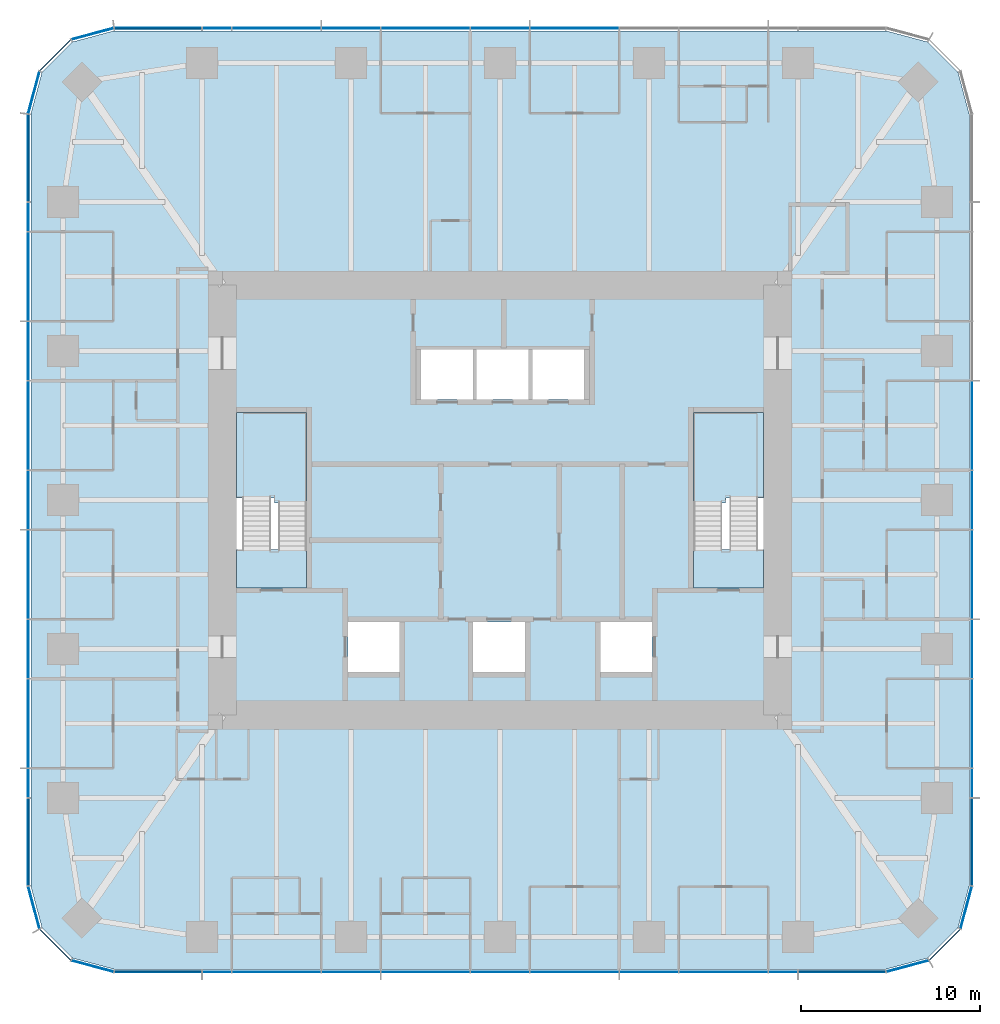
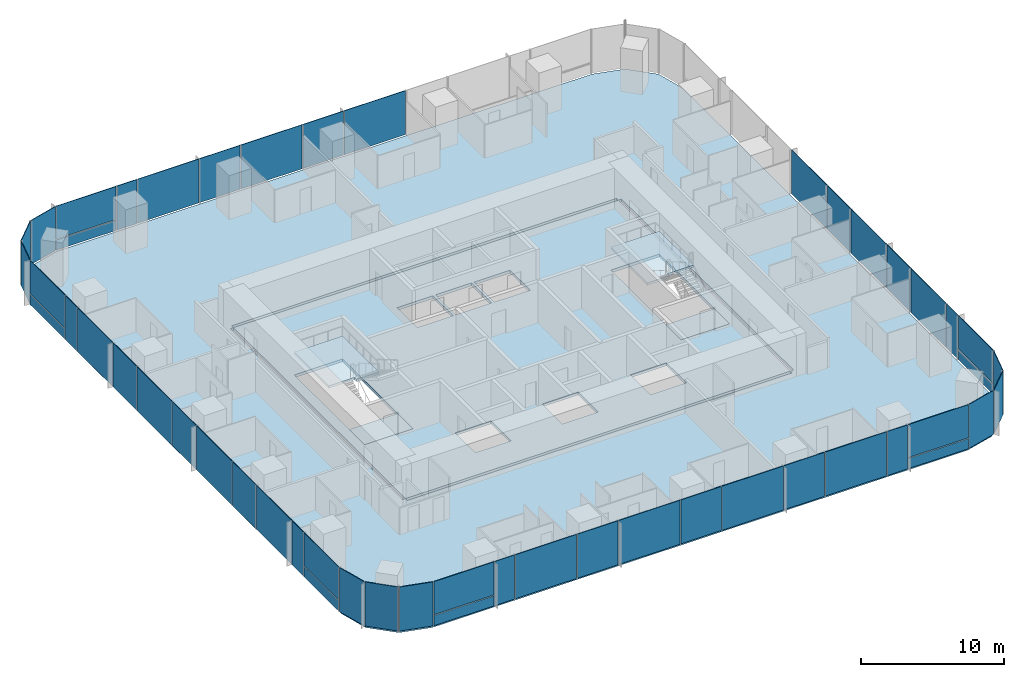
# One storey, part 7 of 12: 51 plates, 6 slabs, 9 elements without a shape of their own.
"""IFC4 building model written with IfcOpenShell, lengths in metres."""

from ifc_helpers import new_model, si_unit, direction, frame, origin, origin_2d, place, context, subcontext, project, spatial, polyline, rectangle, outline, extrude, material, layer, layer_set, type_object, element, aggregate, save


model = new_model("IFC4")

# Units and contexts
model_context = context("Model", 3, precision=1e-05, world=origin(), true_north=direction((0.0, 1.0)))
body_context = subcontext(model_context, "Body", "Model", "MODEL_VIEW")
ifc_project = project(units=[si_unit("LENGTHUNIT", "METRE"), si_unit("AREAUNIT", "SQUARE_METRE"), si_unit("VOLUMEUNIT", "CUBIC_METRE"), si_unit("PLANEANGLEUNIT", "RADIAN"), si_unit("MASSUNIT", "GRAM", prefix="KILO")], contexts=[model_context])

# Site, building, storey
site_placement = place(None, origin())
site = spatial("IfcSite", under=ifc_project, at=site_placement, CompositionType="ELEMENT")
building_placement = place(site_placement, origin())
building = spatial("IfcBuilding", under=site, at=building_placement, Name="Khuree Lantern Residences", CompositionType="ELEMENT")
storey_placement = place(building_placement, frame((0.0, 0.0, 225.75)))
storey = spatial("IfcBuildingStorey", under=building, at=storey_placement, Name="L56", CompositionType="ELEMENT", Elevation=225.75)

# Slab
ifc_material_1 = material(Name="Concrete C35/45", Category="concrete")
ifc_layer_1 = layer(ifc_material_1, 0.25)
ifc_layer_set_1 = layer_set([ifc_layer_1], Name="CFL250 CORE FLOOR SLAB 250")
slab_type_1 = type_object("IfcSlabType", Name="CFL250 CORE FLOOR SLAB 250", PredefinedType="FLOOR", material=ifc_layer_set_1)
slab_1_placement = place(storey_placement, frame((0.0, 0.0, -0.25)))
element("IfcSlab", 1, at=slab_1_placement, inside=storey, type_object=slab_type_1, Name="Core floor L56", PredefinedType="FLOOR", context=body_context, shape_type="SweptSolid", body=[
    extrude(outline(polyline([(-15.5, -12.0), (-15.5, 12.0), (15.5, 12.0), (15.5, -12.0), (-15.5, -12.0)]), holes=[polyline([(10.800048828125, 4.89990234375), (10.800048828125, -4.89990234375), (14.699951171875, -4.89990234375), (14.699951171875, 4.89990234375), (10.800048828125, 4.89990234375)]), polyline([(5.60009765625, -6.800048828125), (5.60009765625, -9.60009765625), (8.5, -9.60009765625), (8.5, -6.800048828125), (5.60009765625, -6.800048828125)]), polyline([(1.800048828125, 8.39990234375), (1.800048828125, 5.60009765625), (4.699951171875, 5.60009765625), (4.699951171875, 8.39990234375), (1.800048828125, 8.39990234375)]), polyline([(-1.300048828125, 8.39990234375), (-1.300048828125, 5.60009765625), (1.60009765625, 5.60009765625), (1.60009765625, 8.39990234375), (-1.300048828125, 8.39990234375)]), polyline([(-1.5, -6.800048828125), (-1.5, -9.60009765625), (1.39990234375, -9.60009765625), (1.39990234375, -6.800048828125), (-1.5, -6.800048828125)]), polyline([(-4.39990234375, 8.39990234375), (-4.39990234375, 5.60009765625), (-1.5, 5.60009765625), (-1.5, 8.39990234375), (-4.39990234375, 8.39990234375)]), polyline([(-8.5, -6.800048828125), (-8.5, -9.60009765625), (-5.60009765625, -9.60009765625), (-5.60009765625, -6.800048828125), (-8.5, -6.800048828125)]), polyline([(-14.699951171875, 4.89990234375), (-14.699951171875, -4.89990234375), (-10.800048828125, -4.89990234375), (-10.800048828125, 4.89990234375), (-14.699951171875, 4.89990234375)])]), origin(), (0.0, 0.0, 1.0), 0.25),
])

# Curtain wall, plates
ifc_material_2 = material(Name="Bronze anodised aluminium", Category="aluminium")
curtain_wall_type_1 = type_object("IfcCurtainWallType", Name="CW-T2 TOWER CORNER CURTAIN WALL", PredefinedType="USERDEFINED", material=ifc_material_2)
curtain_wall_1_placement = place(storey_placement, origin())
curtain_wall_1 = element("IfcCurtainWall", 2, at=curtain_wall_1_placement, inside=storey, type_object=curtain_wall_type_1, Name="L56 SOUTH-EAST CORNER CURTAIN WALL", ObjectType="Faceted corner curtain wall", PredefinedType="USERDEFINED")
ifc_material_3 = material(Name="Bronze tinted triple glazing", Category="glass")
ifc_layer_2 = layer(ifc_material_3, 0.048095703125)
ifc_layer_set_2 = layer_set([ifc_layer_2], Name="FACET PANEL P4")
plate_type_1 = type_object("IfcPlateType", Name="FACET PANEL P4", PredefinedType="CURTAIN_PANEL", material=ifc_layer_set_2)
plate_1_placement = place(storey_placement, frame((22.748046875, -26.029052734375, 0.0), z_axis=(0.0, 0.0, 1.0), x_axis=(0.965925832509, 0.258819021888, 0.0)))
plate_1 = element("IfcPlate", 3, at=plate_1_placement, type_object=plate_type_1, Name="L56 SOUTH-EAST CORNER PANEL 1.1", PredefinedType="CURTAIN_PANEL", context=body_context, shape_type="SweptSolid", body=[
    extrude(rectangle(XDim=2.40869140625, YDim=0.048095703125, at=origin_2d()), origin(), (0.0, 0.0, 1.0), 3.75),
])
plate_2_placement = place(storey_placement, frame((24.828369140625, -24.828369140625, 0.0), z_axis=(0.0, 0.0, 1.0), x_axis=(0.707106781187, 0.707106781187, 0.0)))
plate_2 = element("IfcPlate", 4, at=plate_2_placement, type_object=plate_type_1, Name="L56 SOUTH-EAST CORNER PANEL 2.1", PredefinedType="CURTAIN_PANEL", context=body_context, shape_type="SweptSolid", body=[
    extrude(rectangle(XDim=2.404541015625, YDim=0.048095703125, at=origin_2d()), origin(), (0.0, 0.0, 1.0), 3.75),
])
plate_3_placement = place(storey_placement, frame((26.029052734375, -22.748046875, 0.0), z_axis=(0.0, 0.0, 1.0), x_axis=(0.258819021888, 0.965925832509, 0.0)))
plate_3 = element("IfcPlate", 5, at=plate_3_placement, type_object=plate_type_1, Name="L56 SOUTH-EAST CORNER PANEL 3.1", PredefinedType="CURTAIN_PANEL", context=body_context, shape_type="SweptSolid", body=[
    extrude(rectangle(XDim=2.40869140625, YDim=0.048095703125, at=origin_2d()), origin(), (0.0, 0.0, 1.0), 3.75),
])
aggregate(curtain_wall_1, [plate_1, plate_2, plate_3])

curtain_wall_2_placement = place(storey_placement, origin())
curtain_wall_2 = element("IfcCurtainWall", 6, at=curtain_wall_2_placement, inside=storey, type_object=curtain_wall_type_1, Name="L56 NORTH-WEST CORNER CURTAIN WALL", ObjectType="Faceted corner curtain wall", PredefinedType="USERDEFINED")
plate_4_placement = place(storey_placement, frame((-22.748046875, 26.029052734375, 0.0), z_axis=(0.0, 0.0, 1.0), x_axis=(-0.965925832509, -0.258819021888, 0.0)))
plate_4 = element("IfcPlate", 7, at=plate_4_placement, type_object=plate_type_1, Name="L56 NORTH-WEST CORNER PANEL 29.1", PredefinedType="CURTAIN_PANEL", context=body_context, shape_type="SweptSolid", body=[
    extrude(rectangle(XDim=2.40869140625, YDim=0.048095703125, at=origin_2d()), origin(), (0.0, 0.0, 1.0), 3.75),
])
plate_5_placement = place(storey_placement, frame((-24.828369140625, 24.828369140625, 0.0), z_axis=(0.0, 0.0, 1.0), x_axis=(-0.707106781187, -0.707106781187, 0.0)))
plate_5 = element("IfcPlate", 8, at=plate_5_placement, type_object=plate_type_1, Name="L56 NORTH-WEST CORNER PANEL 30.1", PredefinedType="CURTAIN_PANEL", context=body_context, shape_type="SweptSolid", body=[
    extrude(rectangle(XDim=2.404541015625, YDim=0.048095703125, at=origin_2d()), origin(), (0.0, 0.0, 1.0), 3.75),
])
plate_6_placement = place(storey_placement, frame((-26.029052734375, 22.748046875, 0.0), z_axis=(0.0, 0.0, 1.0), x_axis=(-0.258819021888, -0.965925832509, 0.0)))
plate_6 = element("IfcPlate", 9, at=plate_6_placement, type_object=plate_type_1, Name="L56 NORTH-WEST CORNER PANEL 31.1", PredefinedType="CURTAIN_PANEL", context=body_context, shape_type="SweptSolid", body=[
    extrude(rectangle(XDim=2.40869140625, YDim=0.048095703125, at=origin_2d()), origin(), (0.0, 0.0, 1.0), 3.75),
])
aggregate(curtain_wall_2, [plate_4, plate_5, plate_6])

curtain_wall_3_placement = place(storey_placement, origin())
curtain_wall_3 = element("IfcCurtainWall", 10, at=curtain_wall_3_placement, inside=storey, type_object=curtain_wall_type_1, Name="L56 SOUTH-WEST CORNER CURTAIN WALL", ObjectType="Faceted corner curtain wall", PredefinedType="USERDEFINED")
plate_7_placement = place(storey_placement, frame((-26.029052734375, -22.748046875, 0.0), z_axis=(0.0, 0.0, 1.0), x_axis=(0.258819021888, -0.965925832509, 0.0)))
plate_7 = element("IfcPlate", 11, at=plate_7_placement, type_object=plate_type_1, Name="L56 SOUTH-WEST CORNER PANEL 43.1", PredefinedType="CURTAIN_PANEL", context=body_context, shape_type="SweptSolid", body=[
    extrude(rectangle(XDim=2.40869140625, YDim=0.048095703125, at=origin_2d()), origin(), (0.0, 0.0, 1.0), 3.75),
])
plate_8_placement = place(storey_placement, frame((-24.828369140625, -24.828369140625, 0.0), z_axis=(0.0, 0.0, 1.0), x_axis=(0.707106781187, -0.707106781187, 0.0)))
plate_8 = element("IfcPlate", 12, at=plate_8_placement, type_object=plate_type_1, Name="L56 SOUTH-WEST CORNER PANEL 44.1", PredefinedType="CURTAIN_PANEL", context=body_context, shape_type="SweptSolid", body=[
    extrude(rectangle(XDim=2.404541015625, YDim=0.048095703125, at=origin_2d()), origin(), (0.0, 0.0, 1.0), 3.75),
])
plate_9_placement = place(storey_placement, frame((-22.748046875, -26.029052734375, 0.0), z_axis=(0.0, 0.0, 1.0), x_axis=(0.965925832509, -0.258819021888, 0.0)))
plate_9 = element("IfcPlate", 13, at=plate_9_placement, type_object=plate_type_1, Name="L56 SOUTH-WEST CORNER PANEL 45.1", PredefinedType="CURTAIN_PANEL", context=body_context, shape_type="SweptSolid", body=[
    extrude(rectangle(XDim=2.40869140625, YDim=0.048095703125, at=origin_2d()), origin(), (0.0, 0.0, 1.0), 3.75),
])
aggregate(curtain_wall_3, [plate_7, plate_8, plate_9])

curtain_wall_type_2 = type_object("IfcCurtainWallType", Name="CW-T1 TOWER FACE CURTAIN WALL", PredefinedType="USERDEFINED", material=ifc_material_2)
curtain_wall_4_placement = place(storey_placement, origin())
curtain_wall_4 = element("IfcCurtainWall", 14, at=curtain_wall_4_placement, inside=storey, type_object=curtain_wall_type_2, Name="L56 EAST FACE CURTAIN WALL", ObjectType="Stick-built curtain wall", PredefinedType="USERDEFINED")
ifc_material_4 = material(Name="Bronze tinted triple glazing with a ceramic-fritted spandrel band", Category="glass")
ifc_layer_3 = layer(ifc_material_4, 0.048095703125)
ifc_layer_set_3 = layer_set([ifc_layer_3], Name="FIXED LIGHT PANEL P11")
plate_type_2 = type_object("IfcPlateType", Name="FIXED LIGHT PANEL P11", PredefinedType="CURTAIN_PANEL", material=ifc_layer_set_3)
plate_10_placement = place(storey_placement, frame((26.35009765625, -12.47998046875, 0.0), z_axis=(0.0, 0.0, 1.0), x_axis=(0.0, 1.0, 0.0)))
plate_10 = element("IfcPlate", 15, at=plate_10_placement, type_object=plate_type_2, Name="L56 EAST FACE PANEL 6.1", PredefinedType="CURTAIN_PANEL", context=body_context, shape_type="SweptSolid", body=[
    extrude(rectangle(XDim=4.927001953125, YDim=0.048095703125, at=origin_2d()), origin(), (0.0, 0.0, 1.0), 3.75),
])
plate_11_placement = place(storey_placement, frame((26.35009765625, -4.159912109375, 0.0), z_axis=(0.0, 0.0, 1.0), x_axis=(0.0, 1.0, 0.0)))
plate_11 = element("IfcPlate", 16, at=plate_11_placement, type_object=plate_type_2, Name="L56 EAST FACE PANEL 8.1", PredefinedType="CURTAIN_PANEL", context=body_context, shape_type="SweptSolid", body=[
    extrude(rectangle(XDim=4.927001953125, YDim=0.048095703125, at=origin_2d()), origin(), (0.0, 0.0, 1.0), 3.75),
])
plate_12_placement = place(storey_placement, frame((26.35009765625, 4.159912109375, 0.0), z_axis=(0.0, 0.0, 1.0), x_axis=(0.0, 1.0, 0.0)))
plate_12 = element("IfcPlate", 17, at=plate_12_placement, type_object=plate_type_2, Name="L56 EAST FACE PANEL 10.1", PredefinedType="CURTAIN_PANEL", context=body_context, shape_type="SweptSolid", body=[
    extrude(rectangle(XDim=4.927001953125, YDim=0.048095703125, at=origin_2d()), origin(), (0.0, 0.0, 1.0), 3.75),
])

curtain_wall_5_placement = place(storey_placement, origin())
curtain_wall_5 = element("IfcCurtainWall", 18, at=curtain_wall_5_placement, inside=storey, type_object=curtain_wall_type_2, Name="L56 NORTH FACE CURTAIN WALL", ObjectType="Stick-built curtain wall", PredefinedType="USERDEFINED")
plate_13_placement = place(storey_placement, frame((4.159912109375, 26.35009765625, 0.0), z_axis=(0.0, 0.0, 1.0), x_axis=(-1.0, 0.0, 0.0)))
plate_13 = element("IfcPlate", 19, at=plate_13_placement, type_object=plate_type_2, Name="L56 NORTH FACE PANEL 22.1", PredefinedType="CURTAIN_PANEL", context=body_context, shape_type="SweptSolid", body=[
    extrude(rectangle(XDim=4.927001953125, YDim=0.048095703125, at=origin_2d()), origin(), (0.0, 0.0, 1.0), 3.75),
])
plate_14_placement = place(storey_placement, frame((-4.159912109375, 26.35009765625, 0.0), z_axis=(0.0, 0.0, 1.0), x_axis=(-1.0, 0.0, 0.0)))
plate_14 = element("IfcPlate", 20, at=plate_14_placement, type_object=plate_type_2, Name="L56 NORTH FACE PANEL 24.1", PredefinedType="CURTAIN_PANEL", context=body_context, shape_type="SweptSolid", body=[
    extrude(rectangle(XDim=4.927001953125, YDim=0.048095703125, at=origin_2d()), origin(), (0.0, 0.0, 1.0), 3.75),
])
plate_15_placement = place(storey_placement, frame((-12.47998046875, 26.35009765625, 0.0), z_axis=(0.0, 0.0, 1.0), x_axis=(-1.0, 0.0, 0.0)))
plate_15 = element("IfcPlate", 21, at=plate_15_placement, type_object=plate_type_2, Name="L56 NORTH FACE PANEL 26.1", PredefinedType="CURTAIN_PANEL", context=body_context, shape_type="SweptSolid", body=[
    extrude(rectangle(XDim=4.927001953125, YDim=0.048095703125, at=origin_2d()), origin(), (0.0, 0.0, 1.0), 3.75),
])

curtain_wall_6_placement = place(storey_placement, origin())
curtain_wall_6 = element("IfcCurtainWall", 22, at=curtain_wall_6_placement, inside=storey, type_object=curtain_wall_type_2, Name="L56 WEST FACE CURTAIN WALL", ObjectType="Stick-built curtain wall", PredefinedType="USERDEFINED")
plate_16_placement = place(storey_placement, frame((-26.35009765625, 12.47998046875, 0.0), z_axis=(0.0, 0.0, 1.0), x_axis=(0.0, -1.0, 0.0)))
plate_16 = element("IfcPlate", 23, at=plate_16_placement, type_object=plate_type_2, Name="L56 WEST FACE PANEL 34.1", PredefinedType="CURTAIN_PANEL", context=body_context, shape_type="SweptSolid", body=[
    extrude(rectangle(XDim=4.927001953125, YDim=0.048095703125, at=origin_2d()), origin(), (0.0, 0.0, 1.0), 3.75),
])
plate_17_placement = place(storey_placement, frame((-26.35009765625, 4.159912109375, 0.0), z_axis=(0.0, 0.0, 1.0), x_axis=(0.0, -1.0, 0.0)))
plate_17 = element("IfcPlate", 24, at=plate_17_placement, type_object=plate_type_2, Name="L56 WEST FACE PANEL 36.1", PredefinedType="CURTAIN_PANEL", context=body_context, shape_type="SweptSolid", body=[
    extrude(rectangle(XDim=4.927001953125, YDim=0.048095703125, at=origin_2d()), origin(), (0.0, 0.0, 1.0), 3.75),
])
plate_18_placement = place(storey_placement, frame((-26.35009765625, -4.159912109375, 0.0), z_axis=(0.0, 0.0, 1.0), x_axis=(0.0, -1.0, 0.0)))
plate_18 = element("IfcPlate", 25, at=plate_18_placement, type_object=plate_type_2, Name="L56 WEST FACE PANEL 38.1", PredefinedType="CURTAIN_PANEL", context=body_context, shape_type="SweptSolid", body=[
    extrude(rectangle(XDim=4.927001953125, YDim=0.048095703125, at=origin_2d()), origin(), (0.0, 0.0, 1.0), 3.75),
])
plate_19_placement = place(storey_placement, frame((-26.35009765625, -12.47998046875, 0.0), z_axis=(0.0, 0.0, 1.0), x_axis=(0.0, -1.0, 0.0)))
plate_19 = element("IfcPlate", 26, at=plate_19_placement, type_object=plate_type_2, Name="L56 WEST FACE PANEL 40.1", PredefinedType="CURTAIN_PANEL", context=body_context, shape_type="SweptSolid", body=[
    extrude(rectangle(XDim=4.927001953125, YDim=0.048095703125, at=origin_2d()), origin(), (0.0, 0.0, 1.0), 3.75),
])

curtain_wall_7_placement = place(storey_placement, origin())
curtain_wall_7 = element("IfcCurtainWall", 27, at=curtain_wall_7_placement, inside=storey, type_object=curtain_wall_type_2, Name="L56 SOUTH FACE CURTAIN WALL", ObjectType="Stick-built curtain wall", PredefinedType="USERDEFINED")
plate_20_placement = place(storey_placement, frame((-12.47998046875, -26.35009765625, 0.0), z_axis=(0.0, 0.0, 1.0), x_axis=(1.0, 0.0, 0.0)))
plate_20 = element("IfcPlate", 28, at=plate_20_placement, type_object=plate_type_2, Name="L56 SOUTH FACE PANEL 48.1", PredefinedType="CURTAIN_PANEL", context=body_context, shape_type="SweptSolid", body=[
    extrude(rectangle(XDim=4.927001953125, YDim=0.048095703125, at=origin_2d()), origin(), (0.0, 0.0, 1.0), 3.75),
])
plate_21_placement = place(storey_placement, frame((-4.159912109375, -26.35009765625, 0.0), z_axis=(0.0, 0.0, 1.0), x_axis=(1.0, 0.0, 0.0)))
plate_21 = element("IfcPlate", 29, at=plate_21_placement, type_object=plate_type_2, Name="L56 SOUTH FACE PANEL 50.1", PredefinedType="CURTAIN_PANEL", context=body_context, shape_type="SweptSolid", body=[
    extrude(rectangle(XDim=4.927001953125, YDim=0.048095703125, at=origin_2d()), origin(), (0.0, 0.0, 1.0), 3.75),
])
plate_22_placement = place(storey_placement, frame((4.159912109375, -26.35009765625, 0.0), z_axis=(0.0, 0.0, 1.0), x_axis=(1.0, 0.0, 0.0)))
plate_22 = element("IfcPlate", 30, at=plate_22_placement, type_object=plate_type_2, Name="L56 SOUTH FACE PANEL 52.1", PredefinedType="CURTAIN_PANEL", context=body_context, shape_type="SweptSolid", body=[
    extrude(rectangle(XDim=4.927001953125, YDim=0.048095703125, at=origin_2d()), origin(), (0.0, 0.0, 1.0), 3.75),
])
plate_23_placement = place(storey_placement, frame((12.47998046875, -26.35009765625, 0.0), z_axis=(0.0, 0.0, 1.0), x_axis=(1.0, 0.0, 0.0)))
plate_23 = element("IfcPlate", 31, at=plate_23_placement, type_object=plate_type_2, Name="L56 SOUTH FACE PANEL 54.1", PredefinedType="CURTAIN_PANEL", context=body_context, shape_type="SweptSolid", body=[
    extrude(rectangle(XDim=4.927001953125, YDim=0.048095703125, at=origin_2d()), origin(), (0.0, 0.0, 1.0), 3.75),
])

# Slab
ifc_layer_4 = layer(ifc_material_1, 0.25)
ifc_layer_set_4 = layer_set([ifc_layer_4], Name="FS250 FLOOR SLAB 250")
slab_type_2 = type_object("IfcSlabType", Name="FS250 FLOOR SLAB 250", PredefinedType="FLOOR", material=ifc_layer_set_4)
slab_2_placement = place(storey_placement, frame((0.0, 0.0, -0.25)))
element("IfcSlab", 32, at=slab_2_placement, inside=storey, type_object=slab_type_2, Name="Floor slab L56", PredefinedType="FLOOR", context=body_context, shape_type="SweptSolid", body=[
    extrude(outline(polyline([(-23.875, -25.576904296875), (-25.576904296875, -23.875), (-26.199951171875, -21.550048828125), (-26.199951171875, 21.550048828125), (-25.576904296875, 23.875), (-23.875, 25.576904296875), (-21.550048828125, 26.199951171875), (21.550048828125, 26.199951171875), (23.875, 25.576904296875), (25.576904296875, 23.875), (26.199951171875, 21.550048828125), (26.199951171875, -21.550048828125), (25.576904296875, -23.875), (23.875, -25.576904296875), (21.550048828125, -26.199951171875), (-21.550048828125, -26.199951171875), (-23.875, -25.576904296875)]), holes=[polyline([(15.75, 12.0), (15.5, 12.0), (15.5, 12.25), (-15.5, 12.25), (-15.5, 12.0), (-15.75, 12.0), (-15.75, -12.0), (-15.5, -12.0), (-15.5, -12.25), (15.5, -12.25), (15.5, -12.0), (15.75, -12.0), (15.75, 12.0)])]), origin(), (0.0, 0.0, 1.0), 0.25),
])

# Plate
ifc_material_5 = material(Name="Bronze tinted triple glazing, two aluminium-framed sashes in one frame", Category="aluminium")
ifc_layer_5 = layer(ifc_material_5, 0.048095703125)
ifc_layer_set_5 = layer_set([ifc_layer_5], Name="SASH PAIR PANEL P12")
plate_type_3 = type_object("IfcPlateType", Name="SASH PAIR PANEL P12", PredefinedType="CURTAIN_PANEL", material=ifc_layer_set_5)
plate_24_placement = place(storey_placement, frame((26.35009765625, -8.320068359375, 0.0), z_axis=(0.0, 0.0, 1.0), x_axis=(0.0, 1.0, 0.0)))
plate_24 = element("IfcPlate", 33, at=plate_24_placement, type_object=plate_type_3, Name="L56 EAST FACE PANEL 7.1", PredefinedType="CURTAIN_PANEL", context=body_context, shape_type="SweptSolid", body=[
    extrude(rectangle(XDim=3.262939453125, YDim=0.048095703125, at=origin_2d()), origin(), (0.0, 0.0, 1.0), 3.75),
])

plate_25_placement = place(storey_placement, frame((26.35009765625, 0.0, 0.0), z_axis=(0.0, 0.0, 1.0), x_axis=(0.0, 1.0, 0.0)))
plate_25 = element("IfcPlate", 34, at=plate_25_placement, type_object=plate_type_3, Name="L56 EAST FACE PANEL 9.1", PredefinedType="CURTAIN_PANEL", context=body_context, shape_type="SweptSolid", body=[
    extrude(rectangle(XDim=3.262939453125, YDim=0.048095703125, at=origin_2d()), origin(), (0.0, 0.0, 1.0), 3.75),
])

plate_26_placement = place(storey_placement, frame((0.0, 26.35009765625, 0.0), z_axis=(0.0, 0.0, 1.0), x_axis=(-1.0, 0.0, 0.0)))
plate_26 = element("IfcPlate", 35, at=plate_26_placement, type_object=plate_type_3, Name="L56 NORTH FACE PANEL 23.1", PredefinedType="CURTAIN_PANEL", context=body_context, shape_type="SweptSolid", body=[
    extrude(rectangle(XDim=3.262939453125, YDim=0.048095703125, at=origin_2d()), origin(), (0.0, 0.0, 1.0), 3.75),
])

plate_27_placement = place(storey_placement, frame((-8.320068359375, 26.35009765625, 0.0), z_axis=(0.0, 0.0, 1.0), x_axis=(-1.0, 0.0, 0.0)))
plate_27 = element("IfcPlate", 36, at=plate_27_placement, type_object=plate_type_3, Name="L56 NORTH FACE PANEL 25.1", PredefinedType="CURTAIN_PANEL", context=body_context, shape_type="SweptSolid", body=[
    extrude(rectangle(XDim=3.262939453125, YDim=0.048095703125, at=origin_2d()), origin(), (0.0, 0.0, 1.0), 3.75),
])

plate_28_placement = place(storey_placement, frame((-26.35009765625, 8.320068359375, 0.0), z_axis=(0.0, 0.0, 1.0), x_axis=(0.0, -1.0, 0.0)))
plate_28 = element("IfcPlate", 37, at=plate_28_placement, type_object=plate_type_3, Name="L56 WEST FACE PANEL 35.1", PredefinedType="CURTAIN_PANEL", context=body_context, shape_type="SweptSolid", body=[
    extrude(rectangle(XDim=3.262939453125, YDim=0.048095703125, at=origin_2d()), origin(), (0.0, 0.0, 1.0), 3.75),
])

plate_29_placement = place(storey_placement, frame((-26.35009765625, 0.0, 0.0), z_axis=(0.0, 0.0, 1.0), x_axis=(0.0, -1.0, 0.0)))
plate_29 = element("IfcPlate", 38, at=plate_29_placement, type_object=plate_type_3, Name="L56 WEST FACE PANEL 37.1", PredefinedType="CURTAIN_PANEL", context=body_context, shape_type="SweptSolid", body=[
    extrude(rectangle(XDim=3.262939453125, YDim=0.048095703125, at=origin_2d()), origin(), (0.0, 0.0, 1.0), 3.75),
])

plate_30_placement = place(storey_placement, frame((-26.35009765625, -8.320068359375, 0.0), z_axis=(0.0, 0.0, 1.0), x_axis=(0.0, -1.0, 0.0)))
plate_30 = element("IfcPlate", 39, at=plate_30_placement, type_object=plate_type_3, Name="L56 WEST FACE PANEL 39.1", PredefinedType="CURTAIN_PANEL", context=body_context, shape_type="SweptSolid", body=[
    extrude(rectangle(XDim=3.262939453125, YDim=0.048095703125, at=origin_2d()), origin(), (0.0, 0.0, 1.0), 3.75),
])

plate_31_placement = place(storey_placement, frame((-8.320068359375, -26.35009765625, 0.0), z_axis=(0.0, 0.0, 1.0), x_axis=(1.0, 0.0, 0.0)))
plate_31 = element("IfcPlate", 40, at=plate_31_placement, type_object=plate_type_3, Name="L56 SOUTH FACE PANEL 49.1", PredefinedType="CURTAIN_PANEL", context=body_context, shape_type="SweptSolid", body=[
    extrude(rectangle(XDim=3.262939453125, YDim=0.048095703125, at=origin_2d()), origin(), (0.0, 0.0, 1.0), 3.75),
])

plate_32_placement = place(storey_placement, frame((0.0, -26.35009765625, 0.0), z_axis=(0.0, 0.0, 1.0), x_axis=(1.0, 0.0, 0.0)))
plate_32 = element("IfcPlate", 41, at=plate_32_placement, type_object=plate_type_3, Name="L56 SOUTH FACE PANEL 51.1", PredefinedType="CURTAIN_PANEL", context=body_context, shape_type="SweptSolid", body=[
    extrude(rectangle(XDim=3.262939453125, YDim=0.048095703125, at=origin_2d()), origin(), (0.0, 0.0, 1.0), 3.75),
])

plate_33_placement = place(storey_placement, frame((8.320068359375, -26.35009765625, 0.0), z_axis=(0.0, 0.0, 1.0), x_axis=(1.0, 0.0, 0.0)))
plate_33 = element("IfcPlate", 42, at=plate_33_placement, type_object=plate_type_3, Name="L56 SOUTH FACE PANEL 53.1", PredefinedType="CURTAIN_PANEL", context=body_context, shape_type="SweptSolid", body=[
    extrude(rectangle(XDim=3.262939453125, YDim=0.048095703125, at=origin_2d()), origin(), (0.0, 0.0, 1.0), 3.75),
])

ifc_material_6 = material(Name="Bronze tinted triple glazing, aluminium-framed sash", Category="aluminium")
ifc_layer_6 = layer(ifc_material_6, 0.048095703125)
ifc_layer_set_6 = layer_set([ifc_layer_6], Name="SASH PANEL P3")
plate_type_4 = type_object("IfcPlateType", Name="SASH PANEL P3", PredefinedType="CURTAIN_PANEL", material=ifc_layer_set_6)
plate_34_placement = place(storey_placement, frame((26.35009765625, -15.80810546875, 0.0), z_axis=(0.0, 0.0, 1.0), x_axis=(0.0, 1.0, 0.0)))
plate_34 = element("IfcPlate", 43, at=plate_34_placement, type_object=plate_type_4, Name="L56 EAST FACE PANEL 5.1", PredefinedType="CURTAIN_PANEL", context=body_context, shape_type="SweptSolid", body=[
    extrude(rectangle(XDim=1.59912109375, YDim=0.048095703125, at=origin_2d()), origin(), (0.0, 0.0, 1.0), 3.75),
])

plate_35_placement = place(storey_placement, frame((-15.80810546875, 26.35009765625, 0.0), z_axis=(0.0, 0.0, 1.0), x_axis=(-1.0, 0.0, 0.0)))
plate_35 = element("IfcPlate", 44, at=plate_35_placement, type_object=plate_type_4, Name="L56 NORTH FACE PANEL 27.1", PredefinedType="CURTAIN_PANEL", context=body_context, shape_type="SweptSolid", body=[
    extrude(rectangle(XDim=1.59912109375, YDim=0.048095703125, at=origin_2d()), origin(), (0.0, 0.0, 1.0), 3.75),
])

plate_36_placement = place(storey_placement, frame((-26.35009765625, 15.80810546875, 0.0), z_axis=(0.0, 0.0, 1.0), x_axis=(0.0, -1.0, 0.0)))
plate_36 = element("IfcPlate", 45, at=plate_36_placement, type_object=plate_type_4, Name="L56 WEST FACE PANEL 33.1", PredefinedType="CURTAIN_PANEL", context=body_context, shape_type="SweptSolid", body=[
    extrude(rectangle(XDim=1.59912109375, YDim=0.048095703125, at=origin_2d()), origin(), (0.0, 0.0, 1.0), 3.75),
])

plate_37_placement = place(storey_placement, frame((-26.35009765625, -15.80810546875, 0.0), z_axis=(0.0, 0.0, 1.0), x_axis=(0.0, -1.0, 0.0)))
plate_37 = element("IfcPlate", 46, at=plate_37_placement, type_object=plate_type_4, Name="L56 WEST FACE PANEL 41.1", PredefinedType="CURTAIN_PANEL", context=body_context, shape_type="SweptSolid", body=[
    extrude(rectangle(XDim=1.59912109375, YDim=0.048095703125, at=origin_2d()), origin(), (0.0, 0.0, 1.0), 3.75),
])

plate_38_placement = place(storey_placement, frame((-15.80810546875, -26.35009765625, 0.0), z_axis=(0.0, 0.0, 1.0), x_axis=(1.0, 0.0, 0.0)))
plate_38 = element("IfcPlate", 47, at=plate_38_placement, type_object=plate_type_4, Name="L56 SOUTH FACE PANEL 47.1", PredefinedType="CURTAIN_PANEL", context=body_context, shape_type="SweptSolid", body=[
    extrude(rectangle(XDim=1.59912109375, YDim=0.048095703125, at=origin_2d()), origin(), (0.0, 0.0, 1.0), 3.75),
])

plate_39_placement = place(storey_placement, frame((15.80810546875, -26.35009765625, 0.0), z_axis=(0.0, 0.0, 1.0), x_axis=(1.0, 0.0, 0.0)))
plate_39 = element("IfcPlate", 48, at=plate_39_placement, type_object=plate_type_4, Name="L56 SOUTH FACE PANEL 55.1", PredefinedType="CURTAIN_PANEL", context=body_context, shape_type="SweptSolid", body=[
    extrude(rectangle(XDim=1.59912109375, YDim=0.048095703125, at=origin_2d()), origin(), (0.0, 0.0, 1.0), 3.75),
])

ifc_material_7 = material(Name="Bronze anodised aluminium insulated spandrel", Category="aluminium")
ifc_layer_7 = layer(ifc_material_7, 0.06005859375)
ifc_layer_set_7 = layer_set([ifc_layer_7], Name="SPANDREL PANEL P2")
plate_type_5 = type_object("IfcPlateType", Name="SPANDREL PANEL P2", PredefinedType="CURTAIN_PANEL", material=ifc_layer_set_7)
plate_40_placement = place(storey_placement, frame((26.35009765625, -19.0927734375, 0.0), z_axis=(0.0, 0.0, 1.0), x_axis=(0.0, 1.0, 0.0)))
plate_40 = element("IfcPlate", 49, at=plate_40_placement, type_object=plate_type_5, Name="L56 EAST FACE PANEL 4.1", PredefinedType="CURTAIN_PANEL", context=body_context, shape_type="SweptSolid", body=[
    extrude(rectangle(XDim=4.8408203125, YDim=0.06005859375, at=origin_2d()), origin(), (0.0, 0.0, 1.0), 0.867431640625),
])

plate_41_placement = place(storey_placement, frame((-19.0927734375, 26.35009765625, 0.0), z_axis=(0.0, 0.0, 1.0), x_axis=(-1.0, 0.0, 0.0)))
plate_41 = element("IfcPlate", 50, at=plate_41_placement, type_object=plate_type_5, Name="L56 NORTH FACE PANEL 28.1", PredefinedType="CURTAIN_PANEL", context=body_context, shape_type="SweptSolid", body=[
    extrude(rectangle(XDim=4.8408203125, YDim=0.06005859375, at=origin_2d()), origin(), (0.0, 0.0, 1.0), 0.867431640625),
])

plate_42_placement = place(storey_placement, frame((-26.35009765625, 19.0927734375, 0.0), z_axis=(0.0, 0.0, 1.0), x_axis=(0.0, -1.0, 0.0)))
plate_42 = element("IfcPlate", 51, at=plate_42_placement, type_object=plate_type_5, Name="L56 WEST FACE PANEL 32.1", PredefinedType="CURTAIN_PANEL", context=body_context, shape_type="SweptSolid", body=[
    extrude(rectangle(XDim=4.8408203125, YDim=0.06005859375, at=origin_2d()), origin(), (0.0, 0.0, 1.0), 0.867431640625),
])

plate_43_placement = place(storey_placement, frame((-26.35009765625, -19.0927734375, 0.0), z_axis=(0.0, 0.0, 1.0), x_axis=(0.0, -1.0, 0.0)))
plate_43 = element("IfcPlate", 52, at=plate_43_placement, type_object=plate_type_5, Name="L56 WEST FACE PANEL 42.1", PredefinedType="CURTAIN_PANEL", context=body_context, shape_type="SweptSolid", body=[
    extrude(rectangle(XDim=4.8408203125, YDim=0.06005859375, at=origin_2d()), origin(), (0.0, 0.0, 1.0), 0.867431640625),
])

plate_44_placement = place(storey_placement, frame((-19.0927734375, -26.35009765625, 0.0), z_axis=(0.0, 0.0, 1.0), x_axis=(1.0, 0.0, 0.0)))
plate_44 = element("IfcPlate", 53, at=plate_44_placement, type_object=plate_type_5, Name="L56 SOUTH FACE PANEL 46.1", PredefinedType="CURTAIN_PANEL", context=body_context, shape_type="SweptSolid", body=[
    extrude(rectangle(XDim=4.8408203125, YDim=0.06005859375, at=origin_2d()), origin(), (0.0, 0.0, 1.0), 0.867431640625),
])

plate_45_placement = place(storey_placement, frame((19.0927734375, -26.35009765625, 0.0), z_axis=(0.0, 0.0, 1.0), x_axis=(1.0, 0.0, 0.0)))
plate_45 = element("IfcPlate", 54, at=plate_45_placement, type_object=plate_type_5, Name="L56 SOUTH FACE PANEL 56.1", PredefinedType="CURTAIN_PANEL", context=body_context, shape_type="SweptSolid", body=[
    extrude(rectangle(XDim=4.8408203125, YDim=0.06005859375, at=origin_2d()), origin(), (0.0, 0.0, 1.0), 0.867431640625),
])

# Stair, slabs
ifc_material_8 = material(Name="Concrete C40/50", Category="concrete")
stair_type = type_object("IfcStairType", Name="STAIR ST1 HALF TURN 3600", PredefinedType="HALF_TURN_STAIR", material=ifc_material_8)
stair_1_placement = place(storey_placement, origin())
stair_1 = element("IfcStair", 55, at=stair_1_placement, inside=storey, type_object=stair_type, Name="Stair ST1", PredefinedType="HALF_TURN_STAIR")
ifc_layer_8 = layer(ifc_material_8, 0.199951171875)
ifc_layer_set_8 = layer_set([ifc_layer_8], Name="STAIR LANDING SL1 200")
slab_type_3 = type_object("IfcSlabType", Name="STAIR LANDING SL1 200", PredefinedType="LANDING", material=ifc_layer_set_8)
slab_3_placement = place(storey_placement, frame((0.0, 0.0, -0.199951171875)))
slab_3 = element("IfcSlab", 56, at=slab_3_placement, type_object=slab_type_3, Name="ST1 landing 1", PredefinedType="LANDING", context=body_context, shape_type="SweptSolid", body=[
    extrude(outline(polyline([(-14.699951171875, -4.89990234375), (-10.800048828125, -4.89990234375), (-10.800048828125, -2.760009765625), (-14.699951171875, -2.760009765625), (-14.699951171875, -4.89990234375)])), origin(), (0.0, 0.0, 1.0), 0.199951171875),
])
slab_4_placement = place(storey_placement, frame((0.0, 0.0, 1.756591796875)))
slab_4 = element("IfcSlab", 57, at=slab_4_placement, type_object=slab_type_3, Name="ST1 landing 2", PredefinedType="LANDING", context=body_context, shape_type="SweptSolid", body=[
    extrude(outline(polyline([(-14.699951171875, 0.1201171875), (-14.699951171875, 4.89990234375), (-10.800048828125, 4.89990234375), (-10.800048828125, -0.159912109375), (-12.60009765625, -0.159912109375), (-12.60009765625, 0.1201171875), (-14.699951171875, 0.1201171875)])), origin(), (0.0, 0.0, 1.0), 0.199951171875),
])
aggregate(stair_1, [slab_3, slab_4])

stair_2_placement = place(storey_placement, origin())
stair_2 = element("IfcStair", 58, at=stair_2_placement, inside=storey, type_object=stair_type, Name="Stair ST2", PredefinedType="HALF_TURN_STAIR")
slab_5_placement = place(storey_placement, frame((0.0, 0.0, -0.199951171875)))
slab_5 = element("IfcSlab", 59, at=slab_5_placement, type_object=slab_type_3, Name="ST2 landing 1", PredefinedType="LANDING", context=body_context, shape_type="SweptSolid", body=[
    extrude(outline(polyline([(10.800048828125, -4.89990234375), (14.699951171875, -4.89990234375), (14.699951171875, -2.760009765625), (10.800048828125, -2.760009765625), (10.800048828125, -4.89990234375)])), origin(), (0.0, 0.0, 1.0), 0.199951171875),
])
slab_6_placement = place(storey_placement, frame((0.0, 0.0, 1.756591796875)))
slab_6 = element("IfcSlab", 60, at=slab_6_placement, type_object=slab_type_3, Name="ST2 landing 2", PredefinedType="LANDING", context=body_context, shape_type="SweptSolid", body=[
    extrude(outline(polyline([(14.699951171875, 4.89990234375), (14.699951171875, 0.1201171875), (12.60009765625, 0.1201171875), (12.60009765625, -0.159912109375), (10.800048828125, -0.159912109375), (10.800048828125, 4.89990234375), (14.699951171875, 4.89990234375)])), origin(), (0.0, 0.0, 1.0), 0.199951171875),
])
aggregate(stair_2, [slab_5, slab_6])

# Plate
ifc_layer_9 = layer(ifc_material_3, 0.048095703125)
ifc_layer_set_9 = layer_set([ifc_layer_9], Name="VISION PANEL P1")
plate_type_6 = type_object("IfcPlateType", Name="VISION PANEL P1", PredefinedType="CURTAIN_PANEL", material=ifc_layer_set_9)
plate_46_placement = place(storey_placement, frame((26.35009765625, -19.09326171875, 0.9326171875), z_axis=(0.0, 0.0, 1.0), x_axis=(0.0, 1.0, 0.0)))
plate_46 = element("IfcPlate", 61, at=plate_46_placement, type_object=plate_type_6, Name="L56 EAST FACE PANEL 4.2", PredefinedType="CURTAIN_PANEL", context=body_context, shape_type="SweptSolid", body=[
    extrude(rectangle(XDim=4.841552734375, YDim=0.048095703125, at=origin_2d()), origin(), (0.0, 0.0, 1.0), 2.8173828125),
])

aggregate(curtain_wall_4, [plate_40, plate_46, plate_34, plate_10, plate_24, plate_11, plate_25, plate_12])

plate_47_placement = place(storey_placement, frame((-19.09326171875, 26.35009765625, 0.9326171875), z_axis=(0.0, 0.0, 1.0), x_axis=(-1.0, 0.0, 0.0)))
plate_47 = element("IfcPlate", 62, at=plate_47_placement, type_object=plate_type_6, Name="L56 NORTH FACE PANEL 28.2", PredefinedType="CURTAIN_PANEL", context=body_context, shape_type="SweptSolid", body=[
    extrude(rectangle(XDim=4.841552734375, YDim=0.048095703125, at=origin_2d()), origin(), (0.0, 0.0, 1.0), 2.8173828125),
])

aggregate(curtain_wall_5, [plate_13, plate_26, plate_14, plate_27, plate_15, plate_35, plate_41, plate_47])

plate_48_placement = place(storey_placement, frame((-26.35009765625, 19.09326171875, 0.9326171875), z_axis=(0.0, 0.0, 1.0), x_axis=(0.0, -1.0, 0.0)))
plate_48 = element("IfcPlate", 63, at=plate_48_placement, type_object=plate_type_6, Name="L56 WEST FACE PANEL 32.2", PredefinedType="CURTAIN_PANEL", context=body_context, shape_type="SweptSolid", body=[
    extrude(rectangle(XDim=4.841552734375, YDim=0.048095703125, at=origin_2d()), origin(), (0.0, 0.0, 1.0), 2.8173828125),
])

plate_49_placement = place(storey_placement, frame((-26.35009765625, -19.09326171875, 0.9326171875), z_axis=(0.0, 0.0, 1.0), x_axis=(0.0, -1.0, 0.0)))
plate_49 = element("IfcPlate", 64, at=plate_49_placement, type_object=plate_type_6, Name="L56 WEST FACE PANEL 42.2", PredefinedType="CURTAIN_PANEL", context=body_context, shape_type="SweptSolid", body=[
    extrude(rectangle(XDim=4.841552734375, YDim=0.048095703125, at=origin_2d()), origin(), (0.0, 0.0, 1.0), 2.8173828125),
])

aggregate(curtain_wall_6, [plate_42, plate_48, plate_36, plate_16, plate_28, plate_17, plate_29, plate_18, plate_30, plate_19, plate_37, plate_43, plate_49])

plate_50_placement = place(storey_placement, frame((-19.09326171875, -26.35009765625, 0.9326171875), z_axis=(0.0, 0.0, 1.0), x_axis=(1.0, 0.0, 0.0)))
plate_50 = element("IfcPlate", 65, at=plate_50_placement, type_object=plate_type_6, Name="L56 SOUTH FACE PANEL 46.2", PredefinedType="CURTAIN_PANEL", context=body_context, shape_type="SweptSolid", body=[
    extrude(rectangle(XDim=4.841552734375, YDim=0.048095703125, at=origin_2d()), origin(), (0.0, 0.0, 1.0), 2.8173828125),
])

plate_51_placement = place(storey_placement, frame((19.09326171875, -26.35009765625, 0.9326171875), z_axis=(0.0, 0.0, 1.0), x_axis=(1.0, 0.0, 0.0)))
plate_51 = element("IfcPlate", 66, at=plate_51_placement, type_object=plate_type_6, Name="L56 SOUTH FACE PANEL 56.2", PredefinedType="CURTAIN_PANEL", context=body_context, shape_type="SweptSolid", body=[
    extrude(rectangle(XDim=4.841552734375, YDim=0.048095703125, at=origin_2d()), origin(), (0.0, 0.0, 1.0), 2.8173828125),
])

aggregate(curtain_wall_7, [plate_44, plate_50, plate_38, plate_20, plate_31, plate_21, plate_32, plate_22, plate_33, plate_23, plate_39, plate_45, plate_51])

save(model, "model.ifc")
